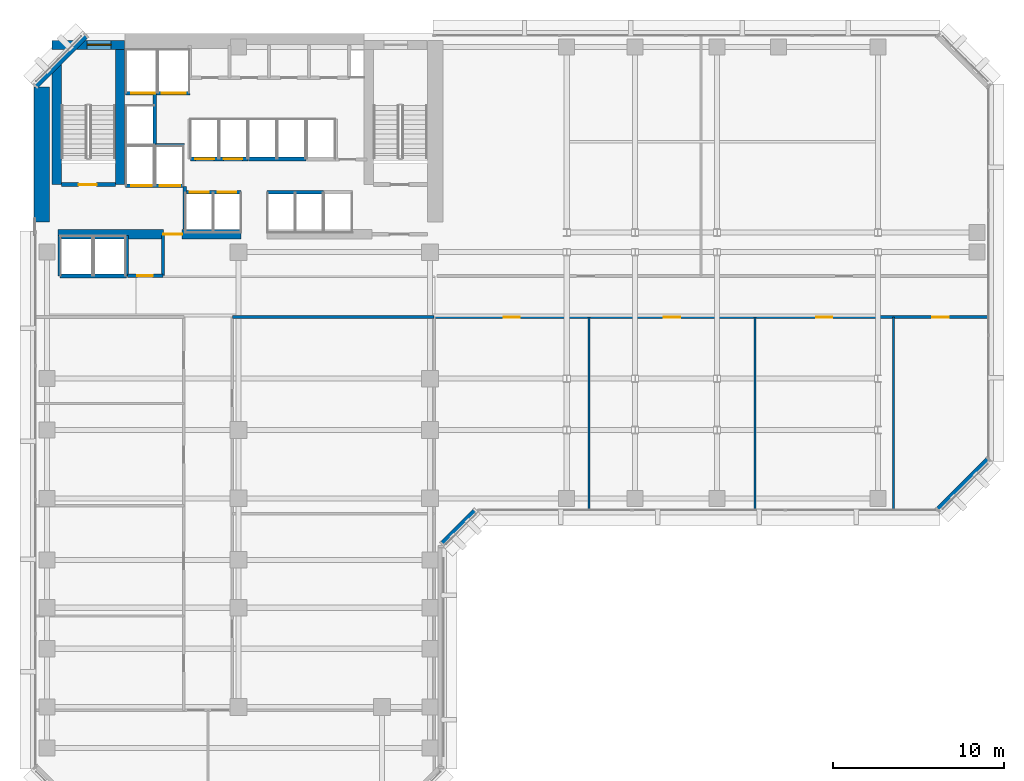
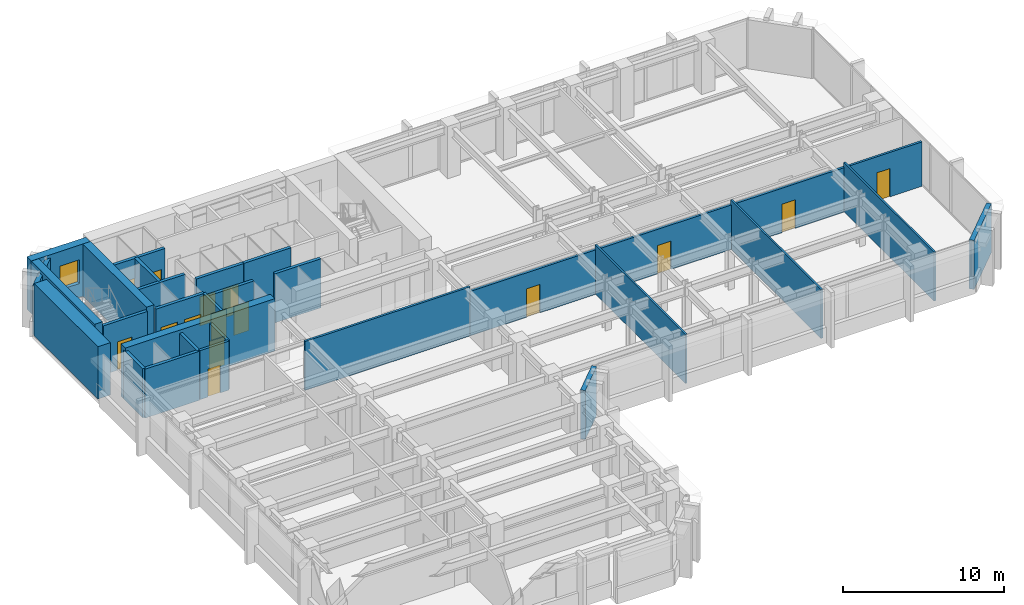
# One storey, part 7 of 13: 28 walls, 15 doors, 1 window, 16 openings.
"""IFC4 building model written with IfcOpenShell, lengths in metres."""

from ifc_helpers import new_model, si_unit, direction, frame, frame_2d, origin, place, context, subcontext, project, spatial, rectangle, extrude, material, layer, layer_set, type_object, element, fill, save


model = new_model("IFC4")

# Units and contexts
model_context = context("Model", 3, precision=1e-05, world=origin(), true_north=direction((0.0, 1.0)))
body_context = subcontext(model_context, "Body", "Model", "MODEL_VIEW")
ifc_project = project(units=[si_unit("LENGTHUNIT", "METRE"), si_unit("AREAUNIT", "SQUARE_METRE"), si_unit("VOLUMEUNIT", "CUBIC_METRE"), si_unit("PLANEANGLEUNIT", "RADIAN"), si_unit("MASSUNIT", "GRAM", prefix="KILO")], contexts=[model_context])

# Site, building, storey
site_placement = place(None, origin())
site = spatial("IfcSite", under=ifc_project, at=site_placement, CompositionType="ELEMENT")
building_placement = place(site_placement, origin())
building = spatial("IfcBuilding", under=site, at=building_placement, Name="Kefirva Bronze Tower", CompositionType="ELEMENT")
storey_placement = place(building_placement, frame((0.0, 0.0, 102.6298828125)))
storey = spatial("IfcBuildingStorey", under=building, at=storey_placement, Name="L24", CompositionType="ELEMENT", Elevation=102.6298828125)

# Walls
ifc_material_1 = material(Name="Gypsum acoustic partition")
ifc_layer_1 = layer(ifc_material_1, 0.1298828125, Name="Gypsum acoustic partition")
ifc_layer_set_1 = layer_set([ifc_layer_1], Name="Gypsum acoustic partition")
wall_type_1 = type_object("IfcWallType", Name="Acoustic Office Partition 130mm", PredefinedType="PARTITIONING", material=ifc_layer_set_1)
for number, where, z_axis, x_axis, name in (
    (1, (32.5107421875, 18.18994140625, 0.0), (0.0, 0.0, 1.0), (0.0, 1.0, 0.0), "L24 Partition W-L24-ESD1"),
    (2, (42.21875, 18.18994140625, 0.0), (0.0, 0.0, 1.0), (0.0, 1.0, 0.0), "L24 Partition W-L24-ESD2"),
    (3, (50.308837890625, 18.18994140625, 0.0), (0.0, 0.0, 1.0), (0.0, 1.0, 0.0), "L24 Partition W-L24-ESD3"),
):
    element("IfcWall", number, at=place(storey_placement, frame(where, z_axis=z_axis, x_axis=x_axis)), inside=storey, type_object=wall_type_1, Name=name, PredefinedType="PARTITIONING", context=body_context, shape_type="SweptSolid", body=[
        extrude(rectangle(XDim=11.2099609375, YDim=0.1298828125, at=frame_2d((5.60498046875, 0.0))), origin(), (0.0, 0.0, 1.0), 3.710205078125),
    ])

# Wall, opening, door
ifc_material_2 = material(Name="Gypsum fireboard shaftwall")
ifc_layer_2 = layer(ifc_material_2, 0.219970703125, Name="Gypsum fireboard shaftwall")
ifc_layer_set_2 = layer_set([ifc_layer_2], Name="Gypsum fireboard shaftwall")
wall_type_2 = type_object("IfcWallType", Name="Fire-Rated Shaft Enclosure Wall 220mm", PredefinedType="PARTITIONING", material=ifc_layer_set_2)
wall_1_placement = place(storey_placement, frame((1.64990234375, 37.14990234375, 0.0), z_axis=(0.0, 0.0, 1.0), x_axis=(1.0, 0.0, 0.0)))
wall_1 = element("IfcWall", 4, at=wall_1_placement, inside=storey, type_object=wall_type_2, Name="L24 Partition W-L24-ST1S", PredefinedType="PARTITIONING", context=body_context, shape_type="SweptSolid", body=[
    extrude(rectangle(XDim=3.150146484375, YDim=0.219970703125, at=frame_2d((1.5751953125, 0.0))), origin(), (0.0, 0.0, 1.0), 3.710205078125),
])
opening_1_placement = place(wall_1_placement, frame((2.050048828125, 0.0, 0.0), z_axis=(0.0, 0.0, 1.0), x_axis=(-1.0, 0.0, 0.0)))
opening_1 = element("IfcOpeningElement", 5, at=opening_1_placement, cuts=wall_1, Name="Opening L24-D001", PredefinedType="OPENING", context=body_context, shape_type="SweptSolid", body=[
    extrude(rectangle(XDim=1.050048828125, YDim=2.14990234375, at=frame_2d((0.52490234375, 1.074951171875))), frame((0.0, 0.1201171875, 0.0), z_axis=(0.0, -1.0, 0.0), x_axis=(1.0, 0.0, 0.0)), (0.0, 0.0, 1.0), 0.239990234375),
])
ifc_material_3 = material(Name="Painted galvanized steel", Category="steel")
door_type_1 = type_object("IfcDoorType", Name="Fire Stair Enclosure Door 1050x2150 FD90S", OperationType="NOTDEFINED", PredefinedType="DOOR", material=ifc_material_3)
door_1_placement = place(opening_1_placement, origin())
door_1 = element("IfcDoor", 6, at=door_1_placement, inside=storey, type_object=door_type_1, Name="Door L24-D001", OperationType="SINGLE_SWING_RIGHT", OverallHeight=2.14990234375, OverallWidth=1.050048828125, PredefinedType="DOOR", context=body_context, shape_type="SweptSolid", body=[
    extrude(rectangle(XDim=1.050048828125, YDim=2.14990234375, at=frame_2d((0.52490234375, 1.074951171875))), frame((0.0, 0.02490234375, 0.0), z_axis=(0.0, -1.0, 0.0), x_axis=(1.0, 0.0, 0.0)), (0.0, 0.0, 1.0), 0.050048828125),
])
fill(opening_1, door_1)

# Wall, openings, doors
wall_2_placement = place(storey_placement, frame((5.3798828125, 37.080078125, 0.0), z_axis=(0.0, 0.0, 1.0), x_axis=(1.0, 0.0, 0.0)))
wall_2 = element("IfcWall", 7, at=wall_2_placement, inside=storey, type_object=wall_type_2, Name="L24 Partition W-L24-FFS", PredefinedType="PARTITIONING", context=body_context, shape_type="SweptSolid", body=[
    extrude(rectangle(XDim=3.460205078125, YDim=0.219970703125, at=frame_2d((1.72998046875, 0.0))), origin(), (0.0, 0.0, 1.0), 3.710205078125),
])
opening_2_placement = place(wall_2_placement, frame((1.550048828125, 0.0, 0.0), z_axis=(0.0, 0.0, 1.0), x_axis=(-1.0, 0.0, 0.0)))
opening_2 = element("IfcOpeningElement", 8, at=opening_2_placement, cuts=wall_2, Name="Opening L24-LD-FF1", PredefinedType="OPENING", context=body_context, shape_type="SweptSolid", body=[
    extrude(rectangle(XDim=1.199951171875, YDim=2.199951171875, at=frame_2d((0.60009765625, 1.10009765625))), frame((0.0, 0.1201171875, 0.0), z_axis=(0.0, -1.0, 0.0), x_axis=(1.0, 0.0, 0.0)), (0.0, 0.0, 1.0), 0.239990234375),
])
opening_3_placement = place(wall_2_placement, frame((3.219970703125, 0.0, 0.0), z_axis=(0.0, 0.0, 1.0), x_axis=(-1.0, 0.0, 0.0)))
opening_3 = element("IfcOpeningElement", 9, at=opening_3_placement, cuts=wall_2, Name="Opening L24-LD-FF2", PredefinedType="OPENING", context=body_context, shape_type="SweptSolid", body=[
    extrude(rectangle(XDim=1.199951171875, YDim=2.199951171875, at=frame_2d((0.60009765625, 1.10009765625))), frame((0.0, 0.1201171875, 0.0), z_axis=(0.0, -1.0, 0.0), x_axis=(1.0, 0.0, 0.0)), (0.0, 0.0, 1.0), 0.239990234375),
])
ifc_material_4 = material(Name="Stainless steel 316", Category="steel")
door_type_2 = type_object("IfcDoorType", Name="Firefighting Lift Sliding Door 1200x2200", OperationType="SLIDING_TO_RIGHT", PredefinedType="DOOR", material=ifc_material_4)
door_2_placement = place(opening_2_placement, origin())
door_2 = element("IfcDoor", 10, at=door_2_placement, inside=storey, type_object=door_type_2, Name="Door L24-LD-FF1", OperationType="SLIDING_TO_RIGHT", OverallHeight=2.199951171875, OverallWidth=1.199951171875, PredefinedType="DOOR", context=body_context, shape_type="SweptSolid", body=[
    extrude(rectangle(XDim=1.199951171875, YDim=2.199951171875, at=frame_2d((0.60009765625, 1.10009765625))), frame((0.0, 0.02490234375, 0.0), z_axis=(0.0, -1.0, 0.0), x_axis=(1.0, 0.0, 0.0)), (0.0, 0.0, 1.0), 0.050048828125),
])
fill(opening_2, door_2)
door_3_placement = place(opening_3_placement, origin())
door_3 = element("IfcDoor", 11, at=door_3_placement, inside=storey, type_object=door_type_2, Name="Door L24-LD-FF2", OperationType="SLIDING_TO_RIGHT", OverallHeight=2.199951171875, OverallWidth=1.199951171875, PredefinedType="DOOR", context=body_context, shape_type="SweptSolid", body=[
    extrude(rectangle(XDim=1.199951171875, YDim=2.199951171875, at=frame_2d((0.60009765625, 1.10009765625))), frame((0.0, 0.02490234375, 0.0), z_axis=(0.0, -1.0, 0.0), x_axis=(1.0, 0.0, 0.0)), (0.0, 0.0, 1.0), 0.050048828125),
])
fill(opening_3, door_3)

# Wall
wall_3_placement = place(storey_placement, frame((5.3798828125, 39.449951171875, 0.0), z_axis=(0.0, 0.0, 1.0), x_axis=(1.0, 0.0, 0.0)))
element("IfcWall", 12, at=wall_3_placement, inside=storey, type_object=wall_type_2, Name="L24 Partition W-L24-FFN", PredefinedType="PARTITIONING", context=body_context, shape_type="SweptSolid", body=[
    extrude(rectangle(XDim=3.460205078125, YDim=0.219970703125, at=frame_2d((1.72998046875, 0.0))), origin(), (0.0, 0.0, 1.0), 3.710205078125),
])

# Wall, openings, doors
wall_4_placement = place(storey_placement, frame((5.3798828125, 42.5, 0.0), z_axis=(0.0, 0.0, 1.0), x_axis=(1.0, 0.0, 0.0)))
wall_4 = element("IfcWall", 13, at=wall_4_placement, inside=storey, type_object=wall_type_2, Name="L24 Partition W-L24-SVS", PredefinedType="PARTITIONING", context=body_context, shape_type="SweptSolid", body=[
    extrude(rectangle(XDim=3.77001953125, YDim=0.219970703125, at=frame_2d((1.885009765625, 0.0))), origin(), (0.0, 0.0, 1.0), 3.710205078125),
])
opening_4_placement = place(wall_4_placement, frame((1.75, 0.0, 0.0), z_axis=(0.0, 0.0, 1.0), x_axis=(-1.0, 0.0, 0.0)))
opening_4 = element("IfcOpeningElement", 14, at=opening_4_placement, cuts=wall_4, Name="Opening L24-LD-SV1", PredefinedType="OPENING", context=body_context, shape_type="SweptSolid", body=[
    extrude(rectangle(XDim=1.39990234375, YDim=2.199951171875, at=frame_2d((0.699951171875, 1.10009765625))), frame((0.0, 0.1201171875, 0.0), z_axis=(0.0, -1.0, 0.0), x_axis=(1.0, 0.0, 0.0)), (0.0, 0.0, 1.0), 0.239990234375),
])
opening_5_placement = place(wall_4_placement, frame((3.52978515625, 0.0, 0.0), z_axis=(0.0, 0.0, 1.0), x_axis=(-1.0, 0.0, 0.0)))
opening_5 = element("IfcOpeningElement", 15, at=opening_5_placement, cuts=wall_4, Name="Opening L24-LD-SV2", PredefinedType="OPENING", context=body_context, shape_type="SweptSolid", body=[
    extrude(rectangle(XDim=1.39990234375, YDim=2.199951171875, at=frame_2d((0.699951171875, 1.10009765625))), frame((0.0, 0.1201171875, 0.0), z_axis=(0.0, -1.0, 0.0), x_axis=(1.0, 0.0, 0.0)), (0.0, 0.0, 1.0), 0.239990234375),
])
door_type_3 = type_object("IfcDoorType", Name="Goods Lift Bi-Parting Sliding Door 1400x2200", OperationType="SLIDING_TO_LEFT", PredefinedType="DOOR", material=ifc_material_4)
door_4_placement = place(opening_4_placement, origin())
door_4 = element("IfcDoor", 16, at=door_4_placement, inside=storey, type_object=door_type_3, Name="Door L24-LD-SV1", OperationType="SLIDING_TO_LEFT", OverallHeight=2.199951171875, OverallWidth=1.39990234375, PredefinedType="DOOR", context=body_context, shape_type="SweptSolid", body=[
    extrude(rectangle(XDim=1.39990234375, YDim=2.199951171875, at=frame_2d((0.699951171875, 1.10009765625))), frame((0.0, 0.02490234375, 0.0), z_axis=(0.0, -1.0, 0.0), x_axis=(1.0, 0.0, 0.0)), (0.0, 0.0, 1.0), 0.050048828125),
])
fill(opening_4, door_4)
door_5_placement = place(opening_5_placement, origin())
door_5 = element("IfcDoor", 17, at=door_5_placement, inside=storey, type_object=door_type_3, Name="Door L24-LD-SV2", OperationType="SLIDING_TO_LEFT", OverallHeight=2.199951171875, OverallWidth=1.39990234375, PredefinedType="DOOR", context=body_context, shape_type="SweptSolid", body=[
    extrude(rectangle(XDim=1.39990234375, YDim=2.199951171875, at=frame_2d((0.699951171875, 1.10009765625))), frame((0.0, 0.02490234375, 0.0), z_axis=(0.0, -1.0, 0.0), x_axis=(1.0, 0.0, 0.0)), (0.0, 0.0, 1.0), 0.050048828125),
])
fill(opening_5, door_5)

# Walls
wall_5_placement = place(storey_placement, frame((7.10009765625, 39.52001953125, 0.0), z_axis=(0.0, 0.0, 1.0), x_axis=(0.0, 1.0, 0.0)))
element("IfcWall", 18, at=wall_5_placement, inside=storey, type_object=wall_type_2, Name="L24 Partition W-L24-HP3E", PredefinedType="PARTITIONING", context=body_context, shape_type="SweptSolid", body=[
    extrude(rectangle(XDim=2.929931640625, YDim=0.219970703125, at=frame_2d((1.46484375, 0.0))), origin(), (0.0, 0.0, 1.0), 3.710205078125),
])
wall_6_placement = place(storey_placement, frame((1.550048828125, 31.800048828125, 0.0), z_axis=(0.0, 0.0, 1.0), x_axis=(1.0, 0.0, 0.0)))
element("IfcWall", 19, at=wall_6_placement, inside=storey, type_object=wall_type_2, Name="L24 Partition W-L24-OBS", PredefinedType="PARTITIONING", context=body_context, shape_type="SweptSolid", body=[
    extrude(rectangle(XDim=3.89990234375, YDim=0.219970703125, at=frame_2d((1.949951171875, 0.0))), origin(), (0.0, 0.0, 1.0), 3.710205078125),
])
for number, where, z_axis, x_axis, name in (
    (20, (1.550048828125, 31.800048828125, 0.0), (0.0, 0.0, 1.0), (0.0, 1.0, 0.0), "L24 Partition W-L24-OBW"),
    (21, (5.449951171875, 31.800048828125, 0.0), (0.0, 0.0, 1.0), (0.0, 1.0, 0.0), "L24 Partition W-L24-OBE"),
):
    element("IfcWall", number, at=place(storey_placement, frame(where, z_axis=z_axis, x_axis=x_axis)), inside=storey, type_object=wall_type_2, Name=name, PredefinedType="PARTITIONING", context=body_context, shape_type="SweptSolid", body=[
        extrude(rectangle(XDim=2.3798828125, YDim=0.219970703125, at=frame_2d((1.18994140625, 0.0))), origin(), (0.0, 0.0, 1.0), 3.710205078125),
    ])

# Wall, openings, doors
wall_7_placement = place(storey_placement, frame((8.89990234375, 36.699951171875, 0.0), z_axis=(0.0, 0.0, 1.0), x_axis=(1.0, 0.0, 0.0)))
wall_7 = element("IfcWall", 22, at=wall_7_placement, inside=storey, type_object=wall_type_2, Name="L24 Partition W-L24-LPS", PredefinedType="PARTITIONING", context=body_context, shape_type="SweptSolid", body=[
    extrude(rectangle(XDim=3.260009765625, YDim=0.219970703125, at=frame_2d((1.6298828125, 0.0))), origin(), (0.0, 0.0, 1.0), 3.710205078125),
])
opening_6_placement = place(wall_7_placement, frame((0.260009765625, 0.0, 0.0)))
opening_6 = element("IfcOpeningElement", 23, at=opening_6_placement, cuts=wall_7, Name="Opening L24-LD-LP1", PredefinedType="OPENING", context=body_context, shape_type="SweptSolid", body=[
    extrude(rectangle(XDim=1.10009765625, YDim=2.199951171875, at=frame_2d((0.550048828125, 1.10009765625))), frame((0.0, 0.1201171875, 0.0), z_axis=(0.0, -1.0, 0.0), x_axis=(1.0, 0.0, 0.0)), (0.0, 0.0, 1.0), 0.239990234375),
])
opening_7_placement = place(wall_7_placement, frame((1.8798828125, 0.0, 0.0)))
opening_7 = element("IfcOpeningElement", 24, at=opening_7_placement, cuts=wall_7, Name="Opening L24-LD-LP2", PredefinedType="OPENING", context=body_context, shape_type="SweptSolid", body=[
    extrude(rectangle(XDim=1.10009765625, YDim=2.199951171875, at=frame_2d((0.550048828125, 1.10009765625))), frame((0.0, 0.1201171875, 0.0), z_axis=(0.0, -1.0, 0.0), x_axis=(1.0, 0.0, 0.0)), (0.0, 0.0, 1.0), 0.239990234375),
])
door_type_4 = type_object("IfcDoorType", Name="Passenger Lift Sliding Landing Door 1100x2200", OperationType="SLIDING_TO_LEFT", PredefinedType="DOOR", material=ifc_material_4)
door_6_placement = place(opening_6_placement, origin())
door_6 = element("IfcDoor", 25, at=door_6_placement, inside=storey, type_object=door_type_4, Name="Door L24-LD-LP1", OperationType="SLIDING_TO_LEFT", OverallHeight=2.199951171875, OverallWidth=1.10009765625, PredefinedType="DOOR", context=body_context, shape_type="SweptSolid", body=[
    extrude(rectangle(XDim=1.10009765625, YDim=2.199951171875, at=frame_2d((0.550048828125, 1.10009765625))), frame((0.0, 0.02490234375, 0.0), z_axis=(0.0, -1.0, 0.0), x_axis=(1.0, 0.0, 0.0)), (0.0, 0.0, 1.0), 0.050048828125),
])
fill(opening_6, door_6)
door_7_placement = place(opening_7_placement, origin())
door_7 = element("IfcDoor", 26, at=door_7_placement, inside=storey, type_object=door_type_4, Name="Door L24-LD-LP2", OperationType="SLIDING_TO_LEFT", OverallHeight=2.199951171875, OverallWidth=1.10009765625, PredefinedType="DOOR", context=body_context, shape_type="SweptSolid", body=[
    extrude(rectangle(XDim=1.10009765625, YDim=2.199951171875, at=frame_2d((0.550048828125, 1.10009765625))), frame((0.0, 0.02490234375, 0.0), z_axis=(0.0, -1.0, 0.0), x_axis=(1.0, 0.0, 0.0)), (0.0, 0.0, 1.0), 0.050048828125),
])
fill(opening_7, door_7)

wall_8_placement = place(storey_placement, frame((9.179931640625, 38.64990234375, 0.0), z_axis=(0.0, 0.0, 1.0), x_axis=(1.0, 0.0, 0.0)))
wall_8 = element("IfcWall", 27, at=wall_8_placement, inside=storey, type_object=wall_type_2, Name="L24 Partition W-L24-LPN", PredefinedType="PARTITIONING", context=body_context, shape_type="SweptSolid", body=[
    extrude(rectangle(XDim=3.380126953125, YDim=0.219970703125, at=frame_2d((1.68994140625, 0.0))), origin(), (0.0, 0.0, 1.0), 3.710205078125),
])
opening_8_placement = place(wall_8_placement, frame((0.300048828125, 0.0, 0.0)))
opening_8 = element("IfcOpeningElement", 28, at=opening_8_placement, cuts=wall_8, Name="Opening L24-LD-LP3", PredefinedType="OPENING", context=body_context, shape_type="SweptSolid", body=[
    extrude(rectangle(XDim=1.10009765625, YDim=2.199951171875, at=frame_2d((0.550048828125, 1.10009765625))), frame((0.0, 0.1201171875, 0.0), z_axis=(0.0, -1.0, 0.0), x_axis=(1.0, 0.0, 0.0)), (0.0, 0.0, 1.0), 0.239990234375),
])
opening_9_placement = place(wall_8_placement, frame((1.949951171875, 0.0, 0.0)))
opening_9 = element("IfcOpeningElement", 29, at=opening_9_placement, cuts=wall_8, Name="Opening L24-LD-LP4", PredefinedType="OPENING", context=body_context, shape_type="SweptSolid", body=[
    extrude(rectangle(XDim=1.10009765625, YDim=2.199951171875, at=frame_2d((0.550048828125, 1.10009765625))), frame((0.0, 0.1201171875, 0.0), z_axis=(0.0, -1.0, 0.0), x_axis=(1.0, 0.0, 0.0)), (0.0, 0.0, 1.0), 0.239990234375),
])
door_8_placement = place(opening_8_placement, origin())
door_8 = element("IfcDoor", 30, at=door_8_placement, inside=storey, type_object=door_type_4, Name="Door L24-LD-LP3", OperationType="SLIDING_TO_LEFT", OverallHeight=2.199951171875, OverallWidth=1.10009765625, PredefinedType="DOOR", context=body_context, shape_type="SweptSolid", body=[
    extrude(rectangle(XDim=1.10009765625, YDim=2.199951171875, at=frame_2d((0.550048828125, 1.10009765625))), frame((0.0, 0.02490234375, 0.0), z_axis=(0.0, -1.0, 0.0), x_axis=(1.0, 0.0, 0.0)), (0.0, 0.0, 1.0), 0.050048828125),
])
fill(opening_8, door_8)
door_9_placement = place(opening_9_placement, origin())
door_9 = element("IfcDoor", 31, at=door_9_placement, inside=storey, type_object=door_type_4, Name="Door L24-LD-LP4", OperationType="SLIDING_TO_LEFT", OverallHeight=2.199951171875, OverallWidth=1.10009765625, PredefinedType="DOOR", context=body_context, shape_type="SweptSolid", body=[
    extrude(rectangle(XDim=1.10009765625, YDim=2.199951171875, at=frame_2d((0.550048828125, 1.10009765625))), frame((0.0, 0.02490234375, 0.0), z_axis=(0.0, -1.0, 0.0), x_axis=(1.0, 0.0, 0.0)), (0.0, 0.0, 1.0), 0.050048828125),
])
fill(opening_9, door_9)

# Walls
wall_9_placement = place(storey_placement, frame((13.679931640625, 36.699951171875, 0.0), z_axis=(0.0, 0.0, 1.0), x_axis=(1.0, 0.0, 0.0)))
element("IfcWall", 32, at=wall_9_placement, inside=storey, type_object=wall_type_2, Name="L24 Partition W-L24-MPS", PredefinedType="PARTITIONING", context=body_context, shape_type="SweptSolid", body=[
    extrude(rectangle(XDim=3.280029296875, YDim=0.219970703125, at=frame_2d((1.64013671875, 0.0))), origin(), (0.0, 0.0, 1.0), 3.710205078125),
])
wall_10_placement = place(storey_placement, frame((12.580078125, 38.64990234375, 0.0), z_axis=(0.0, 0.0, 1.0), x_axis=(1.0, 0.0, 0.0)))
element("IfcWall", 33, at=wall_10_placement, inside=storey, type_object=wall_type_2, Name="L24 Partition W-L24-MPN", PredefinedType="PARTITIONING", context=body_context, shape_type="SweptSolid", body=[
    extrude(rectangle(XDim=3.3798828125, YDim=0.219970703125, at=frame_2d((1.68994140625, 0.0))), origin(), (0.0, 0.0, 1.0), 3.710205078125),
])
ifc_material_5 = material(Name="Gypsum fireboard barrier")
ifc_layer_3 = layer(ifc_material_5, 0.199951171875, Name="Gypsum fireboard barrier")
ifc_layer_set_3 = layer_set([ifc_layer_3], Name="Gypsum fireboard barrier")
wall_type_3 = type_object("IfcWallType", Name="Firefighting Lobby Barrier Wall 200mm", PredefinedType="PARTITIONING", material=ifc_layer_set_3)
wall_11_placement = place(storey_placement, frame((8.860107421875, 34.550048828125, 0.0), z_axis=(0.0, 0.0, 1.0), x_axis=(0.0, 1.0, 0.0)))
element("IfcWall", 34, at=wall_11_placement, inside=storey, type_object=wall_type_3, Name="L24 Partition W-L24-FFLE", PredefinedType="PARTITIONING", context=body_context, shape_type="SweptSolid", body=[
    extrude(rectangle(XDim=2.5, YDim=0.199951171875, at=frame_2d((1.25, 0.0))), origin(), (0.0, 0.0, 1.0), 3.710205078125),
])
ifc_material_6 = material(Name="Precast concrete C40/50", Category="concrete")
ifc_layer_4 = layer(ifc_material_6, 0.320068359375, Name="Precast concrete C40/50")
ifc_layer_set_4 = layer_set([ifc_layer_4], Name="Precast concrete C40/50")
wall_type_4 = type_object("IfcWallType", Name="Precast Insulated Exterior Wall 320mm", PredefinedType="SOLIDWALL", material=ifc_layer_set_4)
wall_12_placement = place(storey_placement, frame((23.92578125, 16.152099609375, 0.0), z_axis=(0.0, 0.0, 1.0), x_axis=(0.707106781187, 0.707106781187, 0.0)))
element("IfcWall", 35, at=wall_12_placement, inside=storey, type_object=wall_type_4, Name="L24 Exterior Facade Wall 6", PredefinedType="SOLIDWALL", context=body_context, shape_type="SweptSolid", body=[
    extrude(rectangle(XDim=2.71826171875, YDim=0.320068359375, at=frame_2d((1.359130859375, 0.0))), origin(), (0.0, 0.0, 1.0), 3.710205078125),
])
for number, where, z_axis, x_axis, name in (
    (36, (52.92578125, 18.152099609375, 0.0), (0.0, 0.0, 1.0), (0.707106781187, 0.707106781187, 0.0), "L24 Exterior Facade Wall 7"),
    (37, (3.07421875, 45.847900390625, 0.0), (0.0, 0.0, 1.0), (-0.707106781187, -0.707106781187, 0.0), "L24 Exterior Facade Wall 9"),
):
    element("IfcWall", number, at=place(storey_placement, frame(where, z_axis=z_axis, x_axis=x_axis)), inside=storey, type_object=wall_type_4, Name=name, PredefinedType="SOLIDWALL", context=body_context, shape_type="SweptSolid", body=[
        extrude(rectangle(XDim=4.132568359375, YDim=0.320068359375, at=frame_2d((2.06640625, 0.0))), origin(), (0.0, 0.0, 1.0), 3.710205078125),
    ])
ifc_layer_5 = layer(ifc_material_1, 0.159912109375, Name="Gypsum acoustic partition")
ifc_layer_set_5 = layer_set([ifc_layer_5], Name="Gypsum acoustic partition")
wall_type_5 = type_object("IfcWallType", Name="Protected Corridor Partition 160mm", PredefinedType="PARTITIONING", material=ifc_layer_set_5)
wall_13_placement = place(storey_placement, frame((11.639892578125, 29.39990234375, 0.0), z_axis=(0.0, 0.0, 1.0), x_axis=(1.0, 0.0, 0.0)))
element("IfcWall", 38, at=wall_13_placement, inside=storey, type_object=wall_type_5, Name="L24 Partition W-L24-NET", PredefinedType="PARTITIONING", context=body_context, shape_type="SweptSolid", body=[
    extrude(rectangle(XDim=11.81005859375, YDim=0.159912109375, at=frame_2d((5.905029296875, 0.0))), origin(), (0.0, 0.0, 1.0), 3.710205078125),
])

# Wall, openings, doors
wall_14_placement = place(storey_placement, frame((23.449951171875, 29.39990234375, 0.0), z_axis=(0.0, 0.0, 1.0), x_axis=(1.0, 0.0, 0.0)))
wall_14 = element("IfcWall", 39, at=wall_14_placement, inside=storey, type_object=wall_type_5, Name="L24 Partition W-L24-EWS", PredefinedType="PARTITIONING", context=body_context, shape_type="SweptSolid", body=[
    extrude(rectangle(XDim=32.360107421875, YDim=0.159912109375, at=frame_2d((16.18017578125, 0.0))), origin(), (0.0, 0.0, 1.0), 3.365234375),
])
opening_10_placement = place(wall_14_placement, frame((5.00537109375, 0.0, 0.0), z_axis=(0.0, 0.0, 1.0), x_axis=(-1.0, 0.0, 0.0)))
opening_10 = element("IfcOpeningElement", 40, at=opening_10_placement, cuts=wall_14, Name="Opening L24-D-ES1", PredefinedType="OPENING", context=body_context, shape_type="SweptSolid", body=[
    extrude(rectangle(XDim=0.949951171875, YDim=2.14990234375, at=frame_2d((0.47509765625, 1.074951171875))), frame((0.0, 0.08984375, 0.0), z_axis=(0.0, -1.0, 0.0), x_axis=(1.0, 0.0, 0.0)), (0.0, 0.0, 1.0), 0.179931640625),
])
opening_11_placement = place(wall_14_placement, frame((14.3896484375, 0.0, 0.0), z_axis=(0.0, 0.0, 1.0), x_axis=(-1.0, 0.0, 0.0)))
opening_11 = element("IfcOpeningElement", 41, at=opening_11_placement, cuts=wall_14, Name="Opening L24-D-ES2", PredefinedType="OPENING", context=body_context, shape_type="SweptSolid", body=[
    extrude(rectangle(XDim=0.949951171875, YDim=2.14990234375, at=frame_2d((0.47509765625, 1.074951171875))), frame((0.0, 0.08984375, 0.0), z_axis=(0.0, -1.0, 0.0), x_axis=(1.0, 0.0, 0.0)), (0.0, 0.0, 1.0), 0.179931640625),
])
opening_12_placement = place(wall_14_placement, frame((23.288818359375, 0.0, 0.0), z_axis=(0.0, 0.0, 1.0), x_axis=(-1.0, 0.0, 0.0)))
opening_12 = element("IfcOpeningElement", 42, at=opening_12_placement, cuts=wall_14, Name="Opening L24-D-ES3", PredefinedType="OPENING", context=body_context, shape_type="SweptSolid", body=[
    extrude(rectangle(XDim=0.949951171875, YDim=2.14990234375, at=frame_2d((0.47509765625, 1.074951171875))), frame((0.0, 0.08984375, 0.0), z_axis=(0.0, -1.0, 0.0), x_axis=(1.0, 0.0, 0.0)), (0.0, 0.0, 1.0), 0.179931640625),
])
opening_13_placement = place(wall_14_placement, frame((30.08447265625, 0.0, 0.0), z_axis=(0.0, 0.0, 1.0), x_axis=(-1.0, 0.0, 0.0)))
opening_13 = element("IfcOpeningElement", 43, at=opening_13_placement, cuts=wall_14, Name="Opening L24-D-ES4", PredefinedType="OPENING", context=body_context, shape_type="SweptSolid", body=[
    extrude(rectangle(XDim=0.949951171875, YDim=2.14990234375, at=frame_2d((0.47509765625, 1.074951171875))), frame((0.0, 0.08984375, 0.0), z_axis=(0.0, -1.0, 0.0), x_axis=(1.0, 0.0, 0.0)), (0.0, 0.0, 1.0), 0.179931640625),
])
ifc_material_7 = material(Name="Acoustic hardwood oak", Category="wood")
door_type_5 = type_object("IfcDoorType", Name="Office & Meeting Room Door 950x2150", OperationType="NOTDEFINED", PredefinedType="DOOR", material=ifc_material_7)
door_10_placement = place(opening_10_placement, origin())
door_10 = element("IfcDoor", 44, at=door_10_placement, inside=storey, type_object=door_type_5, Name="Door L24-D-ES1", OperationType="SINGLE_SWING_RIGHT", OverallHeight=2.14990234375, OverallWidth=0.949951171875, PredefinedType="DOOR", context=body_context, shape_type="SweptSolid", body=[
    extrude(rectangle(XDim=0.949951171875, YDim=2.14990234375, at=frame_2d((0.47509765625, 1.074951171875))), frame((0.0, 0.02490234375, 0.0), z_axis=(0.0, -1.0, 0.0), x_axis=(1.0, 0.0, 0.0)), (0.0, 0.0, 1.0), 0.050048828125),
])
fill(opening_10, door_10)
door_11_placement = place(opening_11_placement, origin())
door_11 = element("IfcDoor", 45, at=door_11_placement, inside=storey, type_object=door_type_5, Name="Door L24-D-ES2", OperationType="SINGLE_SWING_LEFT", OverallHeight=2.14990234375, OverallWidth=0.949951171875, PredefinedType="DOOR", context=body_context, shape_type="SweptSolid", body=[
    extrude(rectangle(XDim=0.949951171875, YDim=2.14990234375, at=frame_2d((0.47509765625, 1.074951171875))), frame((0.0, 0.02490234375, 0.0), z_axis=(0.0, -1.0, 0.0), x_axis=(1.0, 0.0, 0.0)), (0.0, 0.0, 1.0), 0.050048828125),
])
fill(opening_11, door_11)
door_12_placement = place(opening_12_placement, origin())
door_12 = element("IfcDoor", 46, at=door_12_placement, inside=storey, type_object=door_type_5, Name="Door L24-D-ES3", OperationType="SINGLE_SWING_RIGHT", OverallHeight=2.14990234375, OverallWidth=0.949951171875, PredefinedType="DOOR", context=body_context, shape_type="SweptSolid", body=[
    extrude(rectangle(XDim=0.949951171875, YDim=2.14990234375, at=frame_2d((0.47509765625, 1.074951171875))), frame((0.0, 0.02490234375, 0.0), z_axis=(0.0, -1.0, 0.0), x_axis=(1.0, 0.0, 0.0)), (0.0, 0.0, 1.0), 0.050048828125),
])
fill(opening_12, door_12)
door_13_placement = place(opening_13_placement, origin())
door_13 = element("IfcDoor", 47, at=door_13_placement, inside=storey, type_object=door_type_5, Name="Door L24-D-ES4", OperationType="SINGLE_SWING_LEFT", OverallHeight=2.14990234375, OverallWidth=0.949951171875, PredefinedType="DOOR", context=body_context, shape_type="SweptSolid", body=[
    extrude(rectangle(XDim=0.949951171875, YDim=2.14990234375, at=frame_2d((0.47509765625, 1.074951171875))), frame((0.0, 0.02490234375, 0.0), z_axis=(0.0, -1.0, 0.0), x_axis=(1.0, 0.0, 0.0)), (0.0, 0.0, 1.0), 0.050048828125),
])
fill(opening_13, door_13)

# Wall, opening, window
ifc_material_8 = material(Name="Concrete C50/60", Category="concrete")
ifc_layer_6 = layer(ifc_material_8, 0.550048828125, Name="Concrete C50/60")
ifc_layer_set_6 = layer_set([ifc_layer_6], Name="Concrete C50/60")
wall_type_6 = type_object("IfcWallType", Name="RC Rear Core Exterior Wall 550mm", PredefinedType="SHEAR", material=ifc_layer_set_6)
wall_15_placement = place(storey_placement, frame((1.10009765625, 45.320068359375, 0.0), z_axis=(0.0, 0.0, 1.0), x_axis=(1.0, 0.0, 0.0)))
wall_15 = element("IfcWall", 48, at=wall_15_placement, inside=storey, type_object=wall_type_6, Name="L24 Stair 1 North Shear Wall", PredefinedType="SHEAR", context=body_context, shape_type="SweptSolid", body=[
    extrude(rectangle(XDim=4.239990234375, YDim=0.550048828125, at=frame_2d((2.1201171875, 0.0))), origin(), (0.0, 0.0, 1.0), 3.960205078125),
])
opening_14_placement = place(wall_15_placement, frame((2.050048828125, 0.0, 1.050048828125)))
opening_14 = element("IfcOpeningElement", 49, at=opening_14_placement, cuts=wall_15, Name="Opening WN-03", PredefinedType="OPENING", context=body_context, shape_type="SweptSolid", body=[
    extrude(rectangle(XDim=1.39990234375, YDim=1.800048828125, at=frame_2d((0.699951171875, 0.89990234375))), frame((0.0, 0.28515625, 0.0), z_axis=(0.0, -1.0, 0.0), x_axis=(1.0, 0.0, 0.0)), (0.0, 0.0, 1.0), 0.570068359375),
])
ifc_material_9 = material(Name="Laminated low-E double glazing", Category="glass")
window_type = type_object("IfcWindowType", Name="Rear-Core Stair Daylight Window 1400x1800", PartitioningType="SINGLE_PANEL", PredefinedType="WINDOW", material=ifc_material_9)
window_placement = place(opening_14_placement, origin())
window = element("IfcWindow", 50, at=window_placement, inside=storey, type_object=window_type, Name="L24 Stair 1 Daylight Window", OverallHeight=1.800048828125, OverallWidth=1.39990234375, PartitioningType="SINGLE_PANEL", PredefinedType="WINDOW", context=body_context, shape_type="SweptSolid", body=[
    extrude(rectangle(XDim=1.39990234375, YDim=1.800048828125, at=frame_2d((0.699951171875, 0.89990234375))), frame((0.0, 0.030029296875, 0.0), z_axis=(0.0, -1.0, 0.0), x_axis=(1.0, 0.0, 0.0)), (0.0, 0.0, 1.0), 0.06005859375),
])
fill(opening_14, window)

# Walls
ifc_material_10 = material(Name="Concrete C60/75", Category="concrete")
ifc_layer_7 = layer(ifc_material_10, 0.89990234375, Name="Concrete C60/75")
ifc_layer_set_7 = layer_set([ifc_layer_7], Name="Concrete C60/75")
wall_type_7 = type_object("IfcWallType", Name="RC Rear Core Exterior Wall 900mm", PredefinedType="SHEAR", material=ifc_layer_set_7)
wall_16_placement = place(storey_placement, frame((0.5, 34.949951171875, 0.0), z_axis=(0.0, 0.0, 1.0), x_axis=(0.0, 1.0, 0.0)))
element("IfcWall", 51, at=wall_16_placement, inside=storey, type_object=wall_type_7, Name="L24 Rear Core West Shear Wall", PredefinedType="SHEAR", context=body_context, shape_type="SweptSolid", body=[
    extrude(rectangle(XDim=7.900146484375, YDim=0.89990234375, at=frame_2d((3.9501953125, 0.0))), origin(), (0.0, 0.0, 1.0), 3.960205078125),
])
ifc_layer_8 = layer(ifc_material_8, 0.550048828125, Name="Concrete C50/60")
ifc_layer_set_8 = layer_set([ifc_layer_8], Name="Concrete C50/60")
wall_type_8 = type_object("IfcWallType", Name="RC Rear Core Interior Wall 550mm", PredefinedType="SHEAR", material=ifc_layer_set_8)
for number, where, z_axis, x_axis, name in (
    (52, (1.3701171875, 37.14990234375, 0.0), (0.0, 0.0, 1.0), (0.0, 1.0, 0.0), "L24 Stair 1 West Shear Wall"),
    (53, (5.070068359375, 37.14990234375, 0.0), (0.0, 0.0, 1.0), (0.0, 1.0, 0.0), "L24 Stair 1 East Shear Wall"),
):
    element("IfcWall", number, at=place(storey_placement, frame(where, z_axis=z_axis, x_axis=x_axis)), inside=storey, type_object=wall_type_8, Name=name, PredefinedType="SHEAR", context=body_context, shape_type="SweptSolid", body=[
        extrude(rectangle(XDim=7.89013671875, YDim=0.550048828125, at=frame_2d((3.945068359375, 0.0))), origin(), (0.0, 0.0, 1.0), 3.960205078125),
    ])

# Wall, opening, door
ifc_layer_9 = layer(ifc_material_10, 0.89990234375, Name="Concrete C60/75")
ifc_layer_set_9 = layer_set([ifc_layer_9], Name="Concrete C60/75")
wall_type_9 = type_object("IfcWallType", Name="RC Rear Core Interior Wall 900mm", PredefinedType="SHEAR", material=ifc_layer_set_9)
wall_17_placement = place(storey_placement, frame((1.449951171875, 34.25, 0.0), z_axis=(0.0, 0.0, 1.0), x_axis=(1.0, 0.0, 0.0)))
wall_17 = element("IfcWall", 54, at=wall_17_placement, inside=storey, type_object=wall_type_9, Name="L24 Rear Core South-West Shear Wall", PredefinedType="SHEAR", context=body_context, shape_type="SweptSolid", body=[
    extrude(rectangle(XDim=10.7099609375, YDim=0.550048828125, at=frame_2d((5.35498046875, 0.0))), origin(), (0.0, 0.0, 1.0), 3.960205078125),
])
opening_15_placement = place(wall_17_placement, frame((7.25, 0.0, 0.0), z_axis=(0.0, 0.0, 1.0), x_axis=(-1.0, 0.0, 0.0)))
opening_15 = element("IfcOpeningElement", 55, at=opening_15_placement, cuts=wall_17, Name="Opening L24-D002", PredefinedType="OPENING", context=body_context, shape_type="SweptSolid", body=[
    extrude(rectangle(XDim=1.10009765625, YDim=2.14990234375, at=frame_2d((0.550048828125, 1.074951171875))), frame((0.0, 0.28515625, 0.0), z_axis=(0.0, -1.0, 0.0), x_axis=(1.0, 0.0, 0.0)), (0.0, 0.0, 1.0), 0.570068359375),
])
door_type_6 = type_object("IfcDoorType", Name="Firefighting Lobby Smoke Door 1100x2150 FD60S", OperationType="NOTDEFINED", PredefinedType="DOOR", material=ifc_material_3)
door_14_placement = place(opening_15_placement, origin())
door_14 = element("IfcDoor", 56, at=door_14_placement, inside=storey, type_object=door_type_6, Name="Door L24-D002", OperationType="SINGLE_SWING_LEFT", OverallHeight=2.14990234375, OverallWidth=1.10009765625, PredefinedType="DOOR", context=body_context, shape_type="SweptSolid", body=[
    extrude(rectangle(XDim=1.10009765625, YDim=2.14990234375, at=frame_2d((0.550048828125, 1.074951171875))), frame((0.0, 0.02490234375, 0.0), z_axis=(0.0, -1.0, 0.0), x_axis=(1.0, 0.0, 0.0)), (0.0, 0.0, 1.0), 0.050048828125),
])
fill(opening_15, door_14)

ifc_material_11 = material(Name="Moisture-resistant partition")
ifc_layer_10 = layer(ifc_material_11, 0.179931640625, Name="Moisture-resistant partition")
ifc_layer_set_10 = layer_set([ifc_layer_10], Name="Moisture-resistant partition")
wall_type_10 = type_object("IfcWallType", Name="Sanitary Plumbing Chase Wall 180mm", PredefinedType="PLUMBINGWALL", material=ifc_layer_set_10)
wall_18_placement = place(storey_placement, frame((5.5, 31.820068359375, 0.0), z_axis=(0.0, 0.0, 1.0), x_axis=(1.0, 0.0, 0.0)))
wall_18 = element("IfcWall", 57, at=wall_18_placement, inside=storey, type_object=wall_type_10, Name="L24 Partition W-L24-TCS", PredefinedType="PLUMBINGWALL", context=body_context, shape_type="SweptSolid", body=[
    extrude(rectangle(XDim=2.080078125, YDim=0.179931640625, at=frame_2d((1.0400390625, 0.0))), origin(), (0.0, 0.0, 1.0), 3.710205078125),
])
opening_16_placement = place(wall_18_placement, frame((1.47998046875, 0.0, 0.0), z_axis=(0.0, 0.0, 1.0), x_axis=(-1.0, 0.0, 0.0)))
opening_16 = element("IfcOpeningElement", 58, at=opening_16_placement, cuts=wall_18, Name="Opening L24-D-TCL1", PredefinedType="OPENING", context=body_context, shape_type="SweptSolid", body=[
    extrude(rectangle(XDim=0.89990234375, YDim=2.10009765625, at=frame_2d((0.449951171875, 1.050048828125))), frame((0.0, 0.10009765625, 0.0), z_axis=(0.0, -1.0, 0.0), x_axis=(1.0, 0.0, 0.0)), (0.0, 0.0, 1.0), 0.199951171875),
])
door_type_7 = type_object("IfcDoorType", Name="Telecom & Meter Fire Door 900x2100 FD60S", OperationType="NOTDEFINED", PredefinedType="DOOR", material=ifc_material_3)
door_15_placement = place(opening_16_placement, origin())
door_15 = element("IfcDoor", 59, at=door_15_placement, inside=storey, type_object=door_type_7, Name="Door L24-D-TCL1", OperationType="SINGLE_SWING_LEFT", OverallHeight=2.10009765625, OverallWidth=0.89990234375, PredefinedType="DOOR", context=body_context, shape_type="SweptSolid", body=[
    extrude(rectangle(XDim=0.89990234375, YDim=2.10009765625, at=frame_2d((0.449951171875, 1.050048828125))), frame((0.0, 0.02490234375, 0.0), z_axis=(0.0, -1.0, 0.0), x_axis=(1.0, 0.0, 0.0)), (0.0, 0.0, 1.0), 0.050048828125),
])
fill(opening_16, door_15)

# Wall
wall_19_placement = place(storey_placement, frame((7.580078125, 31.820068359375, 0.0), z_axis=(0.0, 0.0, 1.0), x_axis=(0.0, 1.0, 0.0)))
element("IfcWall", 60, at=wall_19_placement, inside=storey, type_object=wall_type_10, Name="L24 Partition W-L24-TCE", PredefinedType="PLUMBINGWALL", context=body_context, shape_type="SweptSolid", body=[
    extrude(rectangle(XDim=2.35986328125, YDim=0.179931640625, at=frame_2d((1.179931640625, 0.0))), origin(), (0.0, 0.0, 1.0), 3.710205078125),
])

save(model, "model.ifc")
